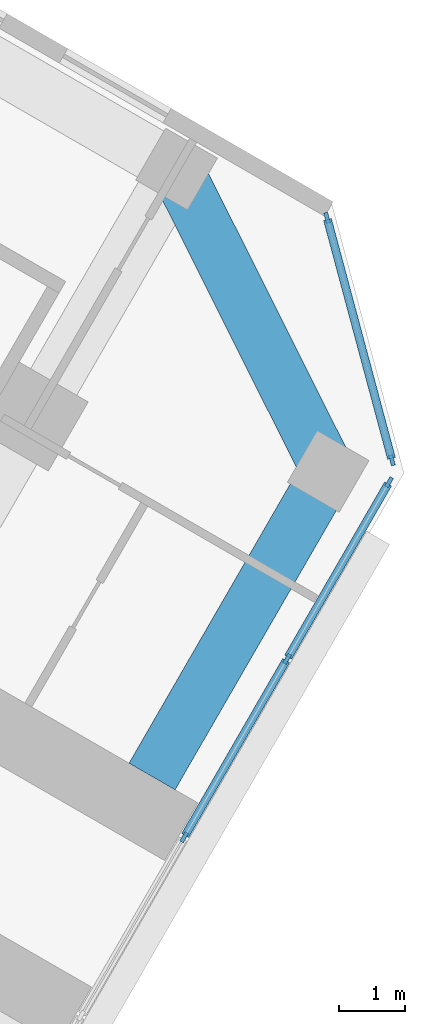
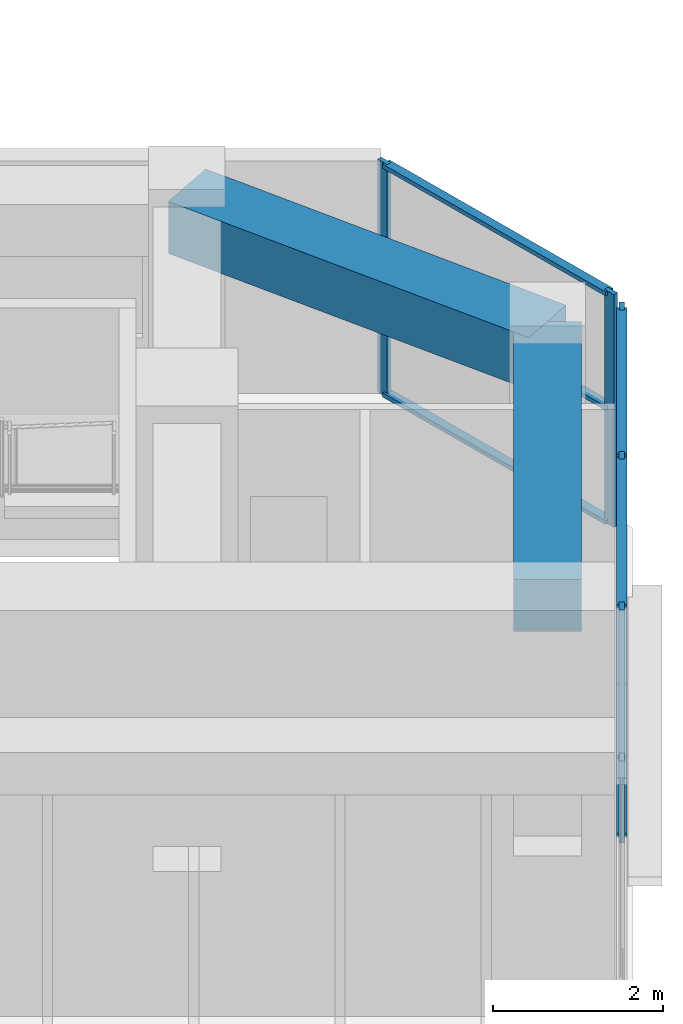
# One storey, part 8 of 21: 12 members, 2 beams, 2 elements without a shape of their own.
"""IFC4 building model written with IfcOpenShell, lengths in metres."""

from ifc_helpers import new_model, si_unit, direction, frame, origin, origin_2d, place, context, subcontext, project, spatial, rectangle, extrude, material, material_profile, profile_set, type_object, element, aggregate, save


model = new_model("IFC4")

# Units and contexts
model_context = context("Model", 3, precision=1e-05, world=origin(), true_north=direction((0.0, 1.0)))
body_context = subcontext(model_context, "Body", "Model", "MODEL_VIEW")
ifc_project = project(units=[si_unit("LENGTHUNIT", "METRE"), si_unit("AREAUNIT", "SQUARE_METRE"), si_unit("VOLUMEUNIT", "CUBIC_METRE"), si_unit("PLANEANGLEUNIT", "RADIAN"), si_unit("MASSUNIT", "GRAM", prefix="KILO")], contexts=[model_context])

# Site, building, storey
site_placement = place(None, origin())
site = spatial("IfcSite", under=ifc_project, at=site_placement, CompositionType="ELEMENT")
building_placement = place(site_placement, origin())
building = spatial("IfcBuilding", under=site, at=building_placement, Name="Kosmar Iwan School Tower", CompositionType="ELEMENT")
storey_placement = place(building_placement, frame((0.0, 0.0, 102.39990234375)))
storey = spatial("IfcBuildingStorey", under=building, at=storey_placement, Name="L25", CompositionType="ELEMENT", Elevation=102.39990234375)

# Curtain wall, members
ifc_material_1 = material(Name="Dark glass in black aluminium frame", Category="aluminium")
curtain_wall_type_1 = type_object("IfcCurtainWallType", Name="Tower curtain wall dark glass", PredefinedType="USERDEFINED", material=ifc_material_1)
curtain_wall_1_placement = place(storey_placement, origin())
curtain_wall_1 = element("IfcCurtainWall", 1, at=curtain_wall_1_placement, inside=storey, type_object=curtain_wall_type_1, Name="Curtain wall L25-F03", ObjectType="UNITISED CURTAIN WALL", PredefinedType="USERDEFINED")
ifc_material_2 = material(Name="Black anodised aluminium", Category="aluminium")
ifc_material_profile_1 = material_profile(ifc_material_2, rectangle(XDim=0.06005859375, YDim=0.159912109375, at=origin_2d()), Name="MULLION 60x160")
ifc_profile_set_1 = profile_set([ifc_material_profile_1], Name="Black anodised aluminium")
member_type_1 = type_object("IfcMemberType", Name="Mullion 60x160", PredefinedType="MULLION", material=ifc_profile_set_1)
member_1_placement = place(storey_placement, frame((30.631103515625, -15.8955078125, 0.0), z_axis=(0.0, 0.0, 1.0), x_axis=(-0.866025405329, 0.499999997325, 0.0)))
member_1 = element("IfcMember", 2, at=member_1_placement, type_object=member_type_1, Name="CW1 mullion 4", PredefinedType="MULLION", context=body_context, shape_type="SweptSolid", body=[
    extrude(rectangle(XDim=0.06005859375, YDim=0.159912109375, at=origin_2d()), origin(), (0.0, 0.0, 1.0), 3.35009765625),
])
member_2_placement = place(storey_placement, frame((32.1806640625, -13.21142578125, 0.0), z_axis=(0.0, 0.0, 1.0), x_axis=(-0.866025405329, 0.499999997325, 0.0)))
member_2 = element("IfcMember", 3, at=member_2_placement, type_object=member_type_1, Name="CW1 mullion 5", PredefinedType="MULLION", context=body_context, shape_type="SweptSolid", body=[
    extrude(rectangle(XDim=0.06005859375, YDim=0.159912109375, at=origin_2d()), origin(), (0.0, 0.0, 1.0), 3.35009765625),
])
member_3_placement = place(storey_placement, frame((33.71533203125, -10.55322265625, 0.0), z_axis=(0.0, 0.0, 1.0), x_axis=(-0.866025405329, 0.499999997325, 0.0)))
member_3 = element("IfcMember", 4, at=member_3_placement, type_object=member_type_1, Name="CW1 mullion 6", PredefinedType="MULLION", context=body_context, shape_type="SweptSolid", body=[
    extrude(rectangle(XDim=0.06005859375, YDim=0.159912109375, at=origin_2d()), origin(), (0.0, 0.0, 1.0), 3.35009765625),
])

ifc_material_3 = material(Name="Dark glass in black aluminium frame", Category="aluminium")
curtain_wall_type_2 = type_object("IfcCurtainWallType", Name="Chamfer curtain wall dark glass", PredefinedType="USERDEFINED", material=ifc_material_3)
curtain_wall_2_placement = place(storey_placement, origin())
curtain_wall_2 = element("IfcCurtainWall", 5, at=curtain_wall_2_placement, inside=storey, type_object=curtain_wall_type_2, Name="Curtain wall L25-F04", ObjectType="FACETED CURTAIN WALL", PredefinedType="USERDEFINED")
member_4_placement = place(storey_placement, frame((33.7587890625, -10.2236328125, 0.0), z_axis=(0.0, 0.0, 1.0), x_axis=(-0.965925875495, -0.258818861462, 0.0)))
member_4 = element("IfcMember", 6, at=member_4_placement, type_object=member_type_1, Name="CW2 mullion 1", PredefinedType="MULLION", context=body_context, shape_type="SweptSolid", body=[
    extrude(rectangle(XDim=0.06005859375, YDim=0.159912109375, at=origin_2d()), origin(), (0.0, 0.0, 1.0), 3.35009765625),
])
member_5_placement = place(storey_placement, frame((32.78076171875, -6.5732421875, 0.0), z_axis=(0.0, 0.0, 1.0), x_axis=(-0.965925875495, -0.258818861462, 0.0)))
member_5 = element("IfcMember", 7, at=member_5_placement, type_object=member_type_1, Name="CW2 mullion 2", PredefinedType="MULLION", context=body_context, shape_type="SweptSolid", body=[
    extrude(rectangle(XDim=0.06005859375, YDim=0.159912109375, at=origin_2d()), origin(), (0.0, 0.0, 1.0), 3.35009765625),
])

# Beams
ifc_material_4 = material(Name="Concrete C50/60", Category="concrete")
ifc_material_profile_2 = material_profile(ifc_material_4, rectangle(XDim=0.800048828125, YDim=0.75, at=origin_2d()), Name="RC 800x750")
ifc_profile_set_2 = profile_set([ifc_material_profile_2], Name="Concrete C50/60")
beam_type = type_object("IfcBeamType", Name="RC tip beam 800x750", PredefinedType="BEAM", material=ifc_profile_set_2)
beam_1_placement = place(storey_placement, frame((30.517822265625, -5.841552734375, 2.97509765625), z_axis=(0.44809604203, -0.893985423325, 0.0), x_axis=(0.893985423325, 0.44809604203, 0.0)))
element("IfcBeam", 8, at=beam_1_placement, inside=storey, type_object=beam_type, Name="Tip beam CL", PredefinedType="BEAM", context=body_context, shape_type="SweptSolid", body=[
    extrude(rectangle(XDim=0.800048828125, YDim=0.75, at=origin_2d()), origin(), (0.0, 0.0, 1.0), 5.08935546875),
])
beam_2_placement = place(storey_placement, frame((32.79833984375, -10.391357421875, 2.97509765625), z_axis=(-0.499973660256, -0.866040610509, 0.0), x_axis=(0.866040610509, -0.499973660256, 0.0)))
element("IfcBeam", 9, at=beam_2_placement, inside=storey, type_object=beam_type, Name="Tip beam CL to corridor wall", PredefinedType="BEAM", context=body_context, shape_type="SweptSolid", body=[
    extrude(rectangle(XDim=0.800048828125, YDim=0.75, at=origin_2d()), origin(), (0.0, 0.0, 1.0), 5.300048828125),
])

# Member
ifc_material_5 = material(Name="Black anodised aluminium", Category="aluminium")
ifc_material_profile_3 = material_profile(ifc_material_5, rectangle(XDim=0.1201171875, YDim=0.06005859375, at=origin_2d()), Name="TRANSOM 60x120")
ifc_profile_set_3 = profile_set([ifc_material_profile_3], Name="Black anodised aluminium")
member_type_2 = type_object("IfcMemberType", Name="Transom 60x120", PredefinedType="USERDEFINED", material=ifc_profile_set_3)
member_6_placement = place(storey_placement, frame((30.64599609375, -15.869384765625, 0.030029296875), z_axis=(0.500035348339, 0.866004994449, 0.0), x_axis=(-0.866004994449, 0.500035348339, 0.0)))
member_6 = element("IfcMember", 10, at=member_6_placement, type_object=member_type_2, Name="CW1 transom 4.1", ObjectType="TRANSOM", PredefinedType="USERDEFINED", context=body_context, shape_type="SweptSolid", body=[
    extrude(rectangle(XDim=0.1201171875, YDim=0.06005859375, at=origin_2d()), origin(), (0.0, 0.0, 1.0), 3.039306640625),
])

member_7_placement = place(storey_placement, frame((30.64599609375, -15.869384765625, 3.320068359375), z_axis=(0.500035348339, 0.866004994449, 0.0), x_axis=(-0.866004994449, 0.500035348339, 0.0)))
member_7 = element("IfcMember", 11, at=member_7_placement, type_object=member_type_2, Name="CW1 transom 4.2", ObjectType="TRANSOM", PredefinedType="USERDEFINED", context=body_context, shape_type="SweptSolid", body=[
    extrude(rectangle(XDim=0.1201171875, YDim=0.06005859375, at=origin_2d()), origin(), (0.0, 0.0, 1.0), 3.039306640625),
])

member_8_placement = place(storey_placement, frame((32.19580078125, -13.185302734375, 0.030029296875), z_axis=(0.500022102064, 0.866012642776, 0.0), x_axis=(-0.866012642776, 0.500022102064, 0.0)))
member_8 = element("IfcMember", 12, at=member_8_placement, type_object=member_type_2, Name="CW1 transom 5.1", ObjectType="TRANSOM", PredefinedType="USERDEFINED", context=body_context, shape_type="SweptSolid", body=[
    extrude(rectangle(XDim=0.1201171875, YDim=0.06005859375, at=origin_2d()), origin(), (0.0, 0.0, 1.0), 3.009033203125),
])

member_9_placement = place(storey_placement, frame((32.19580078125, -13.185302734375, 3.320068359375), z_axis=(0.500022102064, 0.866012642776, 0.0), x_axis=(-0.866012642776, 0.500022102064, 0.0)))
member_9 = element("IfcMember", 13, at=member_9_placement, type_object=member_type_2, Name="CW1 transom 5.2", ObjectType="TRANSOM", PredefinedType="USERDEFINED", context=body_context, shape_type="SweptSolid", body=[
    extrude(rectangle(XDim=0.1201171875, YDim=0.06005859375, at=origin_2d()), origin(), (0.0, 0.0, 1.0), 3.009033203125),
])

aggregate(curtain_wall_1, [member_1, member_2, member_3, member_6, member_7, member_8, member_9])

member_10_placement = place(storey_placement, frame((33.7509765625, -10.194580078125, 0.030029296875), z_axis=(-0.258843273983, 0.965919333854, 0.0), x_axis=(-0.965919333854, -0.258843273983, 0.0)))
member_10 = element("IfcMember", 14, at=member_10_placement, type_object=member_type_2, Name="CW2 transom 1.1", ObjectType="TRANSOM", PredefinedType="USERDEFINED", context=body_context, shape_type="SweptSolid", body=[
    extrude(rectangle(XDim=0.1201171875, YDim=0.06005859375, at=origin_2d()), origin(), (0.0, 0.0, 1.0), 3.718994140625),
])

member_11_placement = place(storey_placement, frame((33.7509765625, -10.194580078125, 1.675048828125), z_axis=(-0.258843273983, 0.965919333854, 0.0), x_axis=(-0.965919333854, -0.258843273983, 0.0)))
member_11 = element("IfcMember", 15, at=member_11_placement, type_object=member_type_2, Name="CW2 transom 1.2", ObjectType="TRANSOM", PredefinedType="USERDEFINED", context=body_context, shape_type="SweptSolid", body=[
    extrude(rectangle(XDim=0.1201171875, YDim=0.06005859375, at=origin_2d()), origin(), (0.0, 0.0, 1.0), 3.718994140625),
])

member_12_placement = place(storey_placement, frame((33.7509765625, -10.194580078125, 3.320068359375), z_axis=(-0.258843273983, 0.965919333854, 0.0), x_axis=(-0.965919333854, -0.258843273983, 0.0)))
member_12 = element("IfcMember", 16, at=member_12_placement, type_object=member_type_2, Name="CW2 transom 1.3", ObjectType="TRANSOM", PredefinedType="USERDEFINED", context=body_context, shape_type="SweptSolid", body=[
    extrude(rectangle(XDim=0.1201171875, YDim=0.06005859375, at=origin_2d()), origin(), (0.0, 0.0, 1.0), 3.718994140625),
])

aggregate(curtain_wall_2, [member_4, member_5, member_10, member_11, member_12])

save(model, "model.ifc")
